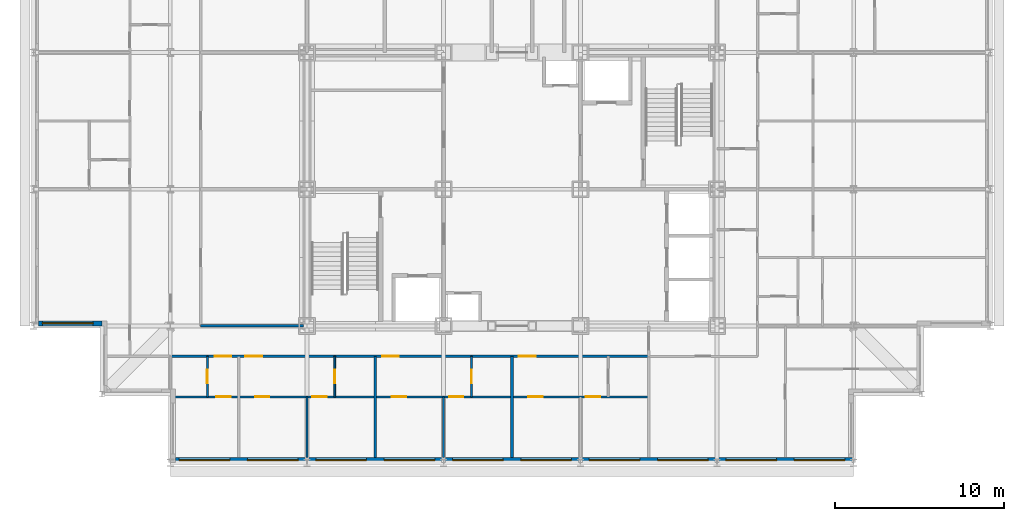
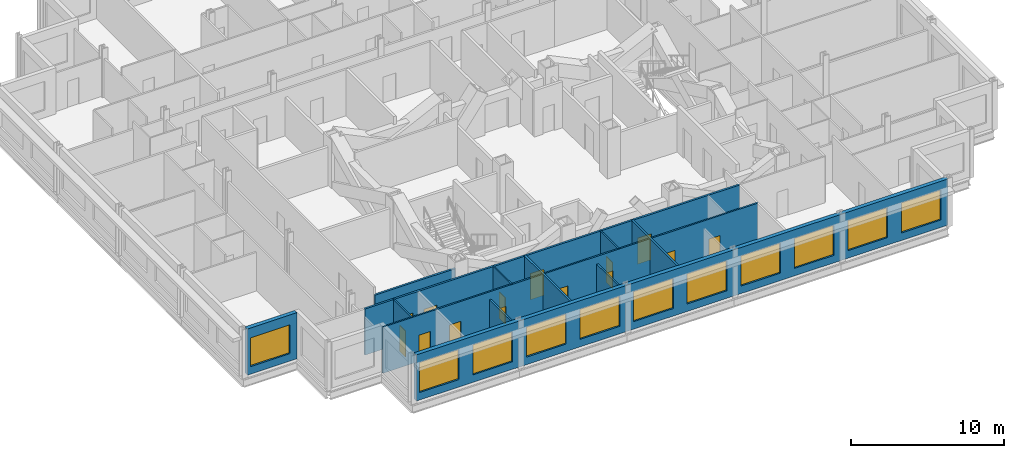
# One storey, part 7 of 16: 14 doors, 12 walls, 11 windows, 25 openings.
"""IFC4 building model written with IfcOpenShell, lengths in metres."""

from ifc_helpers import new_model, si_unit, direction, frame, frame_2d, origin, place, context, subcontext, project, spatial, rectangle, extrude, material, layer, layer_set, type_object, element, fill, save


model = new_model("IFC4")

# Units and contexts
model_context = context("Model", 3, precision=1e-05, world=origin(), true_north=direction((0.0, 1.0)))
body_context = subcontext(model_context, "Body", "Model", "MODEL_VIEW")
ifc_project = project(units=[si_unit("LENGTHUNIT", "METRE"), si_unit("AREAUNIT", "SQUARE_METRE"), si_unit("VOLUMEUNIT", "CUBIC_METRE"), si_unit("PLANEANGLEUNIT", "RADIAN"), si_unit("MASSUNIT", "GRAM", prefix="KILO")], contexts=[model_context])

# Site, building, storey
site_placement = place(None, origin())
site = spatial("IfcSite", under=ifc_project, at=site_placement, CompositionType="ELEMENT")
building_placement = place(site_placement, origin())
building = spatial("IfcBuilding", under=site, at=building_placement, Name="Kopane Lantern Tower", CompositionType="ELEMENT")
storey_placement = place(building_placement, frame((0.0, 0.0, 258.0)))
storey = spatial("IfcBuildingStorey", under=building, at=storey_placement, Name="L66", CompositionType="ELEMENT", Elevation=258.0)

# Walls
ifc_material_1 = material(Name="Gypsum board on steel studs", Category="steel")
ifc_layer_1 = layer(ifc_material_1, 0.1201171875)
ifc_layer_set_1 = layer_set([ifc_layer_1], Name="APARTMENT INTERNAL WALL 120")
wall_type_1 = type_object("IfcWallType", Name="APARTMENT INTERNAL WALL 120", PredefinedType="PARTITIONING", material=ifc_layer_set_1)
for number, where, z_axis, x_axis, name in (
    (1, (16.199951171875, 20.10009765625, 0.0), (0.0, 0.0, 1.0), (0.0, -1.0, 0.0), "Apartment Internal Wall 120 L66"),
    (2, (24.300048828125, 20.10009765625, 0.0), (0.0, 0.0, 1.0), (0.0, -1.0, 0.0), "Apartment Internal Wall 120 L66"),
):
    element("IfcWall", number, at=place(storey_placement, frame(where, z_axis=z_axis, x_axis=x_axis)), inside=storey, type_object=wall_type_1, Name=name, PredefinedType="PARTITIONING", context=body_context, shape_type="SweptSolid", body=[
        extrude(rectangle(XDim=3.60009765625, YDim=0.1201171875, at=frame_2d((1.800048828125, 0.0))), origin(), (0.0, 0.0, 1.0), 3.077880859375),
    ])

# Wall, openings, doors
wall_1_placement = place(storey_placement, frame((8.10009765625, 20.10009765625, 0.0), z_axis=(0.0, 0.0, 1.0), x_axis=(1.0, 0.0, 0.0)))
wall_1 = element("IfcWall", 3, at=wall_1_placement, inside=storey, type_object=wall_type_1, Name="Apartment Internal Wall 120 L66", PredefinedType="PARTITIONING", context=body_context, shape_type="SweptSolid", body=[
    extrude(rectangle(XDim=28.349853515625, YDim=0.1201171875, at=frame_2d((14.1748046875, 0.0))), origin(), (0.0, 0.0, 1.0), 3.68994140625),
])
opening_1_placement = place(wall_1_placement, frame((5.02490234375, 0.0, 0.0)))
opening_1 = element("IfcOpeningElement", 4, at=opening_1_placement, cuts=wall_1, Name="Opening L66-011", PredefinedType="OPENING", context=body_context, shape_type="SweptSolid", body=[
    extrude(rectangle(XDim=0.85009765625, YDim=2.10009765625, at=frame_2d((0.425048828125, 1.050048828125))), frame((0.0, 0.070068359375, 0.0), z_axis=(0.0, -1.0, 0.0), x_axis=(1.0, 0.0, 0.0)), (0.0, 0.0, 1.0), 0.14013671875),
])
opening_2_placement = place(wall_1_placement, frame((8.425048828125, 0.0, 0.0)))
opening_2 = element("IfcOpeningElement", 5, at=opening_2_placement, cuts=wall_1, Name="Opening L66-012", PredefinedType="OPENING", context=body_context, shape_type="SweptSolid", body=[
    extrude(rectangle(XDim=0.85009765625, YDim=2.10009765625, at=frame_2d((0.425048828125, 1.050048828125))), frame((0.0, 0.070068359375, 0.0), z_axis=(0.0, -1.0, 0.0), x_axis=(1.0, 0.0, 0.0)), (0.0, 0.0, 1.0), 0.14013671875),
])
opening_3_placement = place(wall_1_placement, frame((13.125, 0.0, 0.0)))
opening_3 = element("IfcOpeningElement", 6, at=opening_3_placement, cuts=wall_1, Name="Opening L66-015", PredefinedType="OPENING", context=body_context, shape_type="SweptSolid", body=[
    extrude(rectangle(XDim=0.85009765625, YDim=2.10009765625, at=frame_2d((0.425048828125, 1.050048828125))), frame((0.0, 0.070068359375, 0.0), z_axis=(0.0, -1.0, 0.0), x_axis=(1.0, 0.0, 0.0)), (0.0, 0.0, 1.0), 0.14013671875),
])
opening_4_placement = place(wall_1_placement, frame((16.52490234375, 0.0, 0.0)))
opening_4 = element("IfcOpeningElement", 7, at=opening_4_placement, cuts=wall_1, Name="Opening L66-016", PredefinedType="OPENING", context=body_context, shape_type="SweptSolid", body=[
    extrude(rectangle(XDim=0.85009765625, YDim=2.10009765625, at=frame_2d((0.425048828125, 1.050048828125))), frame((0.0, 0.070068359375, 0.0), z_axis=(0.0, -1.0, 0.0), x_axis=(1.0, 0.0, 0.0)), (0.0, 0.0, 1.0), 0.14013671875),
])
opening_5_placement = place(wall_1_placement, frame((21.22509765625, 0.0, 0.0)))
opening_5 = element("IfcOpeningElement", 8, at=opening_5_placement, cuts=wall_1, Name="Opening L66-019", PredefinedType="OPENING", context=body_context, shape_type="SweptSolid", body=[
    extrude(rectangle(XDim=0.85009765625, YDim=2.10009765625, at=frame_2d((0.425048828125, 1.050048828125))), frame((0.0, 0.070068359375, 0.0), z_axis=(0.0, -1.0, 0.0), x_axis=(1.0, 0.0, 0.0)), (0.0, 0.0, 1.0), 0.14013671875),
])
opening_6_placement = place(wall_1_placement, frame((24.625, 0.0, 0.0)))
opening_6 = element("IfcOpeningElement", 9, at=opening_6_placement, cuts=wall_1, Name="Opening L66-020", PredefinedType="OPENING", context=body_context, shape_type="SweptSolid", body=[
    extrude(rectangle(XDim=0.85009765625, YDim=2.10009765625, at=frame_2d((0.425048828125, 1.050048828125))), frame((0.0, 0.070068359375, 0.0), z_axis=(0.0, -1.0, 0.0), x_axis=(1.0, 0.0, 0.0)), (0.0, 0.0, 1.0), 0.14013671875),
])
opening_7_placement = place(wall_1_placement, frame((2.72509765625, 0.0, 0.0)))
opening_7 = element("IfcOpeningElement", 10, at=opening_7_placement, cuts=wall_1, Name="Opening L66-042", PredefinedType="OPENING", context=body_context, shape_type="SweptSolid", body=[
    extrude(rectangle(XDim=0.85009765625, YDim=2.10009765625, at=frame_2d((0.425048828125, 1.050048828125))), frame((0.0, 0.070068359375, 0.0), z_axis=(0.0, -1.0, 0.0), x_axis=(1.0, 0.0, 0.0)), (0.0, 0.0, 1.0), 0.14013671875),
])
ifc_material_2 = material(Name="Timber door set", Category="wood")
door_type_1 = type_object("IfcDoorType", Name="DOOR D4 850x2100", OperationType="SINGLE_SWING_LEFT", PredefinedType="DOOR", material=ifc_material_2)
door_1_placement = place(opening_1_placement, origin())
door_1 = element("IfcDoor", 11, at=door_1_placement, inside=storey, type_object=door_type_1, Name="Door L66-011", OperationType="SINGLE_SWING_LEFT", OverallHeight=2.10009765625, OverallWidth=0.85009765625, PredefinedType="DOOR", context=body_context, shape_type="SweptSolid", body=[
    extrude(rectangle(XDim=0.85009765625, YDim=2.10009765625, at=frame_2d((0.425048828125, 1.050048828125))), frame((0.0, 0.02490234375, 0.0), z_axis=(0.0, -1.0, 0.0), x_axis=(1.0, 0.0, 0.0)), (0.0, 0.0, 1.0), 0.050048828125),
])
fill(opening_1, door_1)
door_2_placement = place(opening_2_placement, origin())
door_2 = element("IfcDoor", 12, at=door_2_placement, inside=storey, type_object=door_type_1, Name="Door L66-012", OperationType="SINGLE_SWING_RIGHT", OverallHeight=2.10009765625, OverallWidth=0.85009765625, PredefinedType="DOOR", context=body_context, shape_type="SweptSolid", body=[
    extrude(rectangle(XDim=0.85009765625, YDim=2.10009765625, at=frame_2d((0.425048828125, 1.050048828125))), frame((0.0, 0.02490234375, 0.0), z_axis=(0.0, -1.0, 0.0), x_axis=(1.0, 0.0, 0.0)), (0.0, 0.0, 1.0), 0.050048828125),
])
fill(opening_2, door_2)
door_3_placement = place(opening_3_placement, origin())
door_3 = element("IfcDoor", 13, at=door_3_placement, inside=storey, type_object=door_type_1, Name="Door L66-015", OperationType="SINGLE_SWING_LEFT", OverallHeight=2.10009765625, OverallWidth=0.85009765625, PredefinedType="DOOR", context=body_context, shape_type="SweptSolid", body=[
    extrude(rectangle(XDim=0.85009765625, YDim=2.10009765625, at=frame_2d((0.425048828125, 1.050048828125))), frame((0.0, 0.02490234375, 0.0), z_axis=(0.0, -1.0, 0.0), x_axis=(1.0, 0.0, 0.0)), (0.0, 0.0, 1.0), 0.050048828125),
])
fill(opening_3, door_3)
door_4_placement = place(opening_4_placement, origin())
door_4 = element("IfcDoor", 14, at=door_4_placement, inside=storey, type_object=door_type_1, Name="Door L66-016", OperationType="SINGLE_SWING_RIGHT", OverallHeight=2.10009765625, OverallWidth=0.85009765625, PredefinedType="DOOR", context=body_context, shape_type="SweptSolid", body=[
    extrude(rectangle(XDim=0.85009765625, YDim=2.10009765625, at=frame_2d((0.425048828125, 1.050048828125))), frame((0.0, 0.02490234375, 0.0), z_axis=(0.0, -1.0, 0.0), x_axis=(1.0, 0.0, 0.0)), (0.0, 0.0, 1.0), 0.050048828125),
])
fill(opening_4, door_4)
door_5_placement = place(opening_5_placement, origin())
door_5 = element("IfcDoor", 15, at=door_5_placement, inside=storey, type_object=door_type_1, Name="Door L66-019", OperationType="SINGLE_SWING_LEFT", OverallHeight=2.10009765625, OverallWidth=0.85009765625, PredefinedType="DOOR", context=body_context, shape_type="SweptSolid", body=[
    extrude(rectangle(XDim=0.85009765625, YDim=2.10009765625, at=frame_2d((0.425048828125, 1.050048828125))), frame((0.0, 0.02490234375, 0.0), z_axis=(0.0, -1.0, 0.0), x_axis=(1.0, 0.0, 0.0)), (0.0, 0.0, 1.0), 0.050048828125),
])
fill(opening_5, door_5)
door_6_placement = place(opening_6_placement, origin())
door_6 = element("IfcDoor", 16, at=door_6_placement, inside=storey, type_object=door_type_1, Name="Door L66-020", OperationType="SINGLE_SWING_RIGHT", OverallHeight=2.10009765625, OverallWidth=0.85009765625, PredefinedType="DOOR", context=body_context, shape_type="SweptSolid", body=[
    extrude(rectangle(XDim=0.85009765625, YDim=2.10009765625, at=frame_2d((0.425048828125, 1.050048828125))), frame((0.0, 0.02490234375, 0.0), z_axis=(0.0, -1.0, 0.0), x_axis=(1.0, 0.0, 0.0)), (0.0, 0.0, 1.0), 0.050048828125),
])
fill(opening_6, door_6)
door_7_placement = place(opening_7_placement, origin())
door_7 = element("IfcDoor", 17, at=door_7_placement, inside=storey, type_object=door_type_1, Name="Door L66-042", OperationType="SINGLE_SWING_LEFT", OverallHeight=2.10009765625, OverallWidth=0.85009765625, PredefinedType="DOOR", context=body_context, shape_type="SweptSolid", body=[
    extrude(rectangle(XDim=0.85009765625, YDim=2.10009765625, at=frame_2d((0.425048828125, 1.050048828125))), frame((0.0, 0.02490234375, 0.0), z_axis=(0.0, -1.0, 0.0), x_axis=(1.0, 0.0, 0.0)), (0.0, 0.0, 1.0), 0.050048828125),
])
fill(opening_7, door_7)

# Wall, opening, door
ifc_material_3 = material(Name="Moisture-resistant board on steel studs", Category="steel")
ifc_layer_2 = layer(ifc_material_3, 0.10009765625)
ifc_layer_set_2 = layer_set([ifc_layer_2], Name="BATHROOM WALL 100")
wall_type_2 = type_object("IfcWallType", Name="BATHROOM WALL 100", PredefinedType="PARTITIONING", material=ifc_layer_set_2)
wall_2_placement = place(storey_placement, frame((17.85009765625, 22.5, 0.0), z_axis=(0.0, 0.0, 1.0), x_axis=(0.0, -1.0, 0.0)))
wall_2 = element("IfcWall", 18, at=wall_2_placement, inside=storey, type_object=wall_type_2, Name="Bathroom Wall 100 L66", PredefinedType="PARTITIONING", context=body_context, shape_type="SweptSolid", body=[
    extrude(rectangle(XDim=2.39990234375, YDim=0.10009765625, at=frame_2d((1.199951171875, 0.0))), origin(), (0.0, 0.0, 1.0), 3.68994140625),
])
opening_8_placement = place(wall_2_placement, frame((0.800048828125, 0.0, 0.0)))
opening_8 = element("IfcOpeningElement", 19, at=opening_8_placement, cuts=wall_2, Name="Opening L66-009", PredefinedType="OPENING", context=body_context, shape_type="SweptSolid", body=[
    extrude(rectangle(XDim=0.800048828125, YDim=2.10009765625, at=frame_2d((0.39990234375, 1.050048828125))), frame((0.0, 0.06005859375, 0.0), z_axis=(0.0, -1.0, 0.0), x_axis=(1.0, 0.0, 0.0)), (0.0, 0.0, 1.0), 0.1201171875),
])
ifc_material_4 = material(Name="Timber door set", Category="wood")
door_type_2 = type_object("IfcDoorType", Name="DOOR D2 800x2100", OperationType="SINGLE_SWING_LEFT", PredefinedType="DOOR", material=ifc_material_4)
door_8_placement = place(opening_8_placement, origin())
door_8 = element("IfcDoor", 20, at=door_8_placement, inside=storey, type_object=door_type_2, Name="Door L66-009", OperationType="SINGLE_SWING_LEFT", OverallHeight=2.10009765625, OverallWidth=0.800048828125, PredefinedType="DOOR", context=body_context, shape_type="SweptSolid", body=[
    extrude(rectangle(XDim=0.800048828125, YDim=2.10009765625, at=frame_2d((0.39990234375, 1.050048828125))), frame((0.0, 0.02490234375, 0.0), z_axis=(0.0, -1.0, 0.0), x_axis=(1.0, 0.0, 0.0)), (0.0, 0.0, 1.0), 0.050048828125),
])
fill(opening_8, door_8)

wall_3_placement = place(storey_placement, frame((25.949951171875, 22.5, 0.0), z_axis=(0.0, 0.0, 1.0), x_axis=(0.0, -1.0, 0.0)))
wall_3 = element("IfcWall", 21, at=wall_3_placement, inside=storey, type_object=wall_type_2, Name="Bathroom Wall 100 L66", PredefinedType="PARTITIONING", context=body_context, shape_type="SweptSolid", body=[
    extrude(rectangle(XDim=2.39990234375, YDim=0.10009765625, at=frame_2d((1.199951171875, 0.0))), origin(), (0.0, 0.0, 1.0), 3.68994140625),
])
opening_9_placement = place(wall_3_placement, frame((0.800048828125, 0.0, 0.0)))
opening_9 = element("IfcOpeningElement", 22, at=opening_9_placement, cuts=wall_3, Name="Opening L66-013", PredefinedType="OPENING", context=body_context, shape_type="SweptSolid", body=[
    extrude(rectangle(XDim=0.800048828125, YDim=2.10009765625, at=frame_2d((0.39990234375, 1.050048828125))), frame((0.0, 0.06005859375, 0.0), z_axis=(0.0, -1.0, 0.0), x_axis=(1.0, 0.0, 0.0)), (0.0, 0.0, 1.0), 0.1201171875),
])
door_9_placement = place(opening_9_placement, origin())
door_9 = element("IfcDoor", 23, at=door_9_placement, inside=storey, type_object=door_type_2, Name="Door L66-013", OperationType="SINGLE_SWING_LEFT", OverallHeight=2.10009765625, OverallWidth=0.800048828125, PredefinedType="DOOR", context=body_context, shape_type="SweptSolid", body=[
    extrude(rectangle(XDim=0.800048828125, YDim=2.10009765625, at=frame_2d((0.39990234375, 1.050048828125))), frame((0.0, 0.02490234375, 0.0), z_axis=(0.0, -1.0, 0.0), x_axis=(1.0, 0.0, 0.0)), (0.0, 0.0, 1.0), 0.050048828125),
])
fill(opening_9, door_9)

wall_4_placement = place(storey_placement, frame((10.300048828125, 22.5, 0.0), z_axis=(0.0, 0.0, 1.0), x_axis=(0.0, -1.0, 0.0)))
wall_4 = element("IfcWall", 24, at=wall_4_placement, inside=storey, type_object=wall_type_2, Name="Bathroom Wall 100 L66", PredefinedType="PARTITIONING", context=body_context, shape_type="SweptSolid", body=[
    extrude(rectangle(XDim=2.39990234375, YDim=0.10009765625, at=frame_2d((1.199951171875, 0.0))), origin(), (0.0, 0.0, 1.0), 3.68994140625),
])
opening_10_placement = place(wall_4_placement, frame((0.800048828125, 0.0, 0.0)))
opening_10 = element("IfcOpeningElement", 25, at=opening_10_placement, cuts=wall_4, Name="Opening L66-040", PredefinedType="OPENING", context=body_context, shape_type="SweptSolid", body=[
    extrude(rectangle(XDim=0.800048828125, YDim=2.10009765625, at=frame_2d((0.39990234375, 1.050048828125))), frame((0.0, 0.06005859375, 0.0), z_axis=(0.0, -1.0, 0.0), x_axis=(1.0, 0.0, 0.0)), (0.0, 0.0, 1.0), 0.1201171875),
])
door_10_placement = place(opening_10_placement, origin())
door_10 = element("IfcDoor", 26, at=door_10_placement, inside=storey, type_object=door_type_2, Name="Door L66-040", OperationType="SINGLE_SWING_RIGHT", OverallHeight=2.10009765625, OverallWidth=0.800048828125, PredefinedType="DOOR", context=body_context, shape_type="SweptSolid", body=[
    extrude(rectangle(XDim=0.800048828125, YDim=2.10009765625, at=frame_2d((0.39990234375, 1.050048828125))), frame((0.0, 0.02490234375, 0.0), z_axis=(0.0, -1.0, 0.0), x_axis=(1.0, 0.0, 0.0)), (0.0, 0.0, 1.0), 0.050048828125),
])
fill(opening_10, door_10)

# Wall, openings, doors
ifc_material_5 = material(Name="Gypsum board on steel studs", Category="steel")
ifc_layer_3 = layer(ifc_material_5, 0.14990234375)
ifc_layer_set_3 = layer_set([ifc_layer_3], Name="CORRIDOR WALL 150 EI 60")
wall_type_3 = type_object("IfcWallType", Name="CORRIDOR WALL 150 EI 60", PredefinedType="PARTITIONING", material=ifc_layer_set_3)
wall_5_placement = place(storey_placement, frame((8.10009765625, 22.5, 0.0), z_axis=(0.0, 0.0, 1.0), x_axis=(1.0, 0.0, 0.0)))
wall_5 = element("IfcWall", 27, at=wall_5_placement, inside=storey, type_object=wall_type_3, Name="Corridor Wall 150 Ei 60 L66", PredefinedType="PARTITIONING", context=body_context, shape_type="SweptSolid", body=[
    extrude(rectangle(XDim=28.349853515625, YDim=0.14990234375, at=frame_2d((14.1748046875, 0.0))), origin(), (0.0, 0.0, 1.0), 3.68994140625),
])
opening_11_placement = place(wall_5_placement, frame((4.449951171875, 0.0, 0.0)))
opening_11 = element("IfcOpeningElement", 28, at=opening_11_placement, cuts=wall_5, Name="Opening L66-010", PredefinedType="OPENING", context=body_context, shape_type="SweptSolid", body=[
    extrude(rectangle(XDim=1.0, YDim=2.10009765625, at=frame_2d((0.5, 1.050048828125))), frame((0.0, 0.0849609375, 0.0), z_axis=(0.0, -1.0, 0.0), x_axis=(1.0, 0.0, 0.0)), (0.0, 0.0, 1.0), 0.169921875),
])
opening_12_placement = place(wall_5_placement, frame((12.550048828125, 0.0, 0.0)))
opening_12 = element("IfcOpeningElement", 29, at=opening_12_placement, cuts=wall_5, Name="Opening L66-014", PredefinedType="OPENING", context=body_context, shape_type="SweptSolid", body=[
    extrude(rectangle(XDim=1.0, YDim=2.10009765625, at=frame_2d((0.5, 1.050048828125))), frame((0.0, 0.0849609375, 0.0), z_axis=(0.0, -1.0, 0.0), x_axis=(1.0, 0.0, 0.0)), (0.0, 0.0, 1.0), 0.169921875),
])
opening_13_placement = place(wall_5_placement, frame((20.64990234375, 0.0, 0.0)))
opening_13 = element("IfcOpeningElement", 30, at=opening_13_placement, cuts=wall_5, Name="Opening L66-018", PredefinedType="OPENING", context=body_context, shape_type="SweptSolid", body=[
    extrude(rectangle(XDim=1.0, YDim=2.10009765625, at=frame_2d((0.5, 1.050048828125))), frame((0.0, 0.0849609375, 0.0), z_axis=(0.0, -1.0, 0.0), x_axis=(1.0, 0.0, 0.0)), (0.0, 0.0, 1.0), 0.169921875),
])
opening_14_placement = place(wall_5_placement, frame((2.625, 0.0, 0.0)))
opening_14 = element("IfcOpeningElement", 31, at=opening_14_placement, cuts=wall_5, Name="Opening L66-041", PredefinedType="OPENING", context=body_context, shape_type="SweptSolid", body=[
    extrude(rectangle(XDim=1.0, YDim=2.10009765625, at=frame_2d((0.5, 1.050048828125))), frame((0.0, 0.0849609375, 0.0), z_axis=(0.0, -1.0, 0.0), x_axis=(1.0, 0.0, 0.0)), (0.0, 0.0, 1.0), 0.169921875),
])
ifc_material_6 = material(Name="Steel door set", Category="steel")
door_type_3 = type_object("IfcDoorType", Name="DOOR D3 1000x2100 FD30S", OperationType="SINGLE_SWING_LEFT", PredefinedType="DOOR", material=ifc_material_6)
door_11_placement = place(opening_11_placement, origin())
door_11 = element("IfcDoor", 32, at=door_11_placement, inside=storey, type_object=door_type_3, Name="Door L66-010", OperationType="SINGLE_SWING_RIGHT", OverallHeight=2.10009765625, OverallWidth=1.0, PredefinedType="DOOR", context=body_context, shape_type="SweptSolid", body=[
    extrude(rectangle(XDim=1.0, YDim=2.10009765625, at=frame_2d((0.5, 1.050048828125))), frame((0.0, 0.02490234375, 0.0), z_axis=(0.0, -1.0, 0.0), x_axis=(1.0, 0.0, 0.0)), (0.0, 0.0, 1.0), 0.050048828125),
])
fill(opening_11, door_11)
door_12_placement = place(opening_12_placement, origin())
door_12 = element("IfcDoor", 33, at=door_12_placement, inside=storey, type_object=door_type_3, Name="Door L66-014", OperationType="SINGLE_SWING_RIGHT", OverallHeight=2.10009765625, OverallWidth=1.0, PredefinedType="DOOR", context=body_context, shape_type="SweptSolid", body=[
    extrude(rectangle(XDim=1.0, YDim=2.10009765625, at=frame_2d((0.5, 1.050048828125))), frame((0.0, 0.02490234375, 0.0), z_axis=(0.0, -1.0, 0.0), x_axis=(1.0, 0.0, 0.0)), (0.0, 0.0, 1.0), 0.050048828125),
])
fill(opening_12, door_12)
door_13_placement = place(opening_13_placement, origin())
door_13 = element("IfcDoor", 34, at=door_13_placement, inside=storey, type_object=door_type_3, Name="Door L66-018", OperationType="SINGLE_SWING_RIGHT", OverallHeight=2.10009765625, OverallWidth=1.0, PredefinedType="DOOR", context=body_context, shape_type="SweptSolid", body=[
    extrude(rectangle(XDim=1.0, YDim=2.10009765625, at=frame_2d((0.5, 1.050048828125))), frame((0.0, 0.02490234375, 0.0), z_axis=(0.0, -1.0, 0.0), x_axis=(1.0, 0.0, 0.0)), (0.0, 0.0, 1.0), 0.050048828125),
])
fill(opening_13, door_13)
door_14_placement = place(opening_14_placement, origin())
door_14 = element("IfcDoor", 35, at=door_14_placement, inside=storey, type_object=door_type_3, Name="Door L66-041", OperationType="SINGLE_SWING_RIGHT", OverallHeight=2.10009765625, OverallWidth=1.0, PredefinedType="DOOR", context=body_context, shape_type="SweptSolid", body=[
    extrude(rectangle(XDim=1.0, YDim=2.10009765625, at=frame_2d((0.5, 1.050048828125))), frame((0.0, 0.02490234375, 0.0), z_axis=(0.0, -1.0, 0.0), x_axis=(1.0, 0.0, 0.0)), (0.0, 0.0, 1.0), 0.050048828125),
])
fill(opening_14, door_14)

# Walls
wall_6_placement = place(storey_placement, frame((16.0, 24.300048828125, 0.0), z_axis=(0.0, 0.0, 1.0), x_axis=(-1.0, 0.0, 0.0)))
element("IfcWall", 36, at=wall_6_placement, inside=storey, type_object=wall_type_3, Name="Corridor Wall 150 Ei 60 L66", PredefinedType="PARTITIONING", context=body_context, shape_type="SweptSolid", body=[
    extrude(rectangle(XDim=6.10009765625, YDim=0.14990234375, at=frame_2d((3.050048828125, 0.0))), origin(), (0.0, 0.0, 1.0), 3.077880859375),
])
ifc_material_7 = material(Name="Gypsum board on steel studs", Category="steel")
ifc_layer_4 = layer(ifc_material_7, 0.14990234375)
ifc_layer_set_4 = layer_set([ifc_layer_4], Name="DEMISING WALL 150 EI 60")
wall_type_4 = type_object("IfcWallType", Name="DEMISING WALL 150 EI 60", PredefinedType="PARTITIONING", material=ifc_layer_set_4)
for number, where, z_axis, x_axis, name in (
    (37, (20.25, 22.5, 0.0), (0.0, 0.0, 1.0), (0.0, -1.0, 0.0), "Demising Wall 150 Ei 60 L66"),
    (38, (28.35009765625, 22.5, 0.0), (0.0, 0.0, 1.0), (0.0, -1.0, 0.0), "Demising Wall 150 Ei 60 L66"),
):
    element("IfcWall", number, at=place(storey_placement, frame(where, z_axis=z_axis, x_axis=x_axis)), inside=storey, type_object=wall_type_4, Name=name, PredefinedType="PARTITIONING", context=body_context, shape_type="SweptSolid", body=[
        extrude(rectangle(XDim=6.0, YDim=0.14990234375, at=frame_2d((3.0, 0.0))), origin(), (0.0, 0.0, 1.0), 3.68994140625),
    ])

# Wall, openings, windows
ifc_material_8 = material(Name="Terracotta rainscreen on light steel framing", Category="masonry")
ifc_layer_5 = layer(ifc_material_8, 0.300048828125)
ifc_layer_set_5 = layer_set([ifc_layer_5], Name="EXTERNAL WALL EW1 300 TERRACOTTA")
wall_type_5 = type_object("IfcWallType", Name="EXTERNAL WALL EW1 300 TERRACOTTA", PredefinedType="SOLIDWALL", material=ifc_layer_set_5)
wall_7_placement = place(storey_placement, frame((8.39990234375, 16.35009765625, 0.0), z_axis=(0.0, 0.0, 1.0), x_axis=(1.0, 0.0, 0.0)))
wall_7 = element("IfcWall", 39, at=wall_7_placement, inside=storey, type_object=wall_type_5, Name="External wall S L66", PredefinedType="SOLIDWALL", context=body_context, shape_type="SweptSolid", body=[
    extrude(rectangle(XDim=40.2001953125, YDim=0.300048828125, at=frame_2d((20.10009765625, 0.0))), origin(), (0.0, 0.0, 1.0), 3.68994140625),
])
opening_15_placement = place(wall_7_placement, frame((0.22509765625, 0.0, 0.60009765625)))
opening_15 = element("IfcOpeningElement", 40, at=opening_15_placement, cuts=wall_7, Name="Opening WR300240", PredefinedType="OPENING", context=body_context, shape_type="SweptSolid", body=[
    extrude(rectangle(XDim=3.0, YDim=2.39990234375, at=frame_2d((1.5, 1.199951171875))), frame((0.0, 0.159912109375, 0.0), z_axis=(0.0, -1.0, 0.0), x_axis=(1.0, 0.0, 0.0)), (0.0, 0.0, 1.0), 0.320068359375),
])
opening_16_placement = place(wall_7_placement, frame((4.27490234375, 0.0, 0.60009765625)))
opening_16 = element("IfcOpeningElement", 41, at=opening_16_placement, cuts=wall_7, Name="Opening WR300240", PredefinedType="OPENING", context=body_context, shape_type="SweptSolid", body=[
    extrude(rectangle(XDim=3.0, YDim=2.39990234375, at=frame_2d((1.5, 1.199951171875))), frame((0.0, 0.159912109375, 0.0), z_axis=(0.0, -1.0, 0.0), x_axis=(1.0, 0.0, 0.0)), (0.0, 0.0, 1.0), 0.320068359375),
])
opening_17_placement = place(wall_7_placement, frame((8.324951171875, 0.0, 0.60009765625)))
opening_17 = element("IfcOpeningElement", 42, at=opening_17_placement, cuts=wall_7, Name="Opening WR300240", PredefinedType="OPENING", context=body_context, shape_type="SweptSolid", body=[
    extrude(rectangle(XDim=3.0, YDim=2.39990234375, at=frame_2d((1.5, 1.199951171875))), frame((0.0, 0.159912109375, 0.0), z_axis=(0.0, -1.0, 0.0), x_axis=(1.0, 0.0, 0.0)), (0.0, 0.0, 1.0), 0.320068359375),
])
opening_18_placement = place(wall_7_placement, frame((12.375, 0.0, 0.60009765625)))
opening_18 = element("IfcOpeningElement", 43, at=opening_18_placement, cuts=wall_7, Name="Opening WR300240", PredefinedType="OPENING", context=body_context, shape_type="SweptSolid", body=[
    extrude(rectangle(XDim=3.0, YDim=2.39990234375, at=frame_2d((1.5, 1.199951171875))), frame((0.0, 0.159912109375, 0.0), z_axis=(0.0, -1.0, 0.0), x_axis=(1.0, 0.0, 0.0)), (0.0, 0.0, 1.0), 0.320068359375),
])
opening_19_placement = place(wall_7_placement, frame((16.425048828125, 0.0, 0.60009765625)))
opening_19 = element("IfcOpeningElement", 44, at=opening_19_placement, cuts=wall_7, Name="Opening WR300240", PredefinedType="OPENING", context=body_context, shape_type="SweptSolid", body=[
    extrude(rectangle(XDim=3.0, YDim=2.39990234375, at=frame_2d((1.5, 1.199951171875))), frame((0.0, 0.159912109375, 0.0), z_axis=(0.0, -1.0, 0.0), x_axis=(1.0, 0.0, 0.0)), (0.0, 0.0, 1.0), 0.320068359375),
])
opening_20_placement = place(wall_7_placement, frame((20.47509765625, 0.0, 0.60009765625)))
opening_20 = element("IfcOpeningElement", 45, at=opening_20_placement, cuts=wall_7, Name="Opening WR300240", PredefinedType="OPENING", context=body_context, shape_type="SweptSolid", body=[
    extrude(rectangle(XDim=3.0, YDim=2.39990234375, at=frame_2d((1.5, 1.199951171875))), frame((0.0, 0.159912109375, 0.0), z_axis=(0.0, -1.0, 0.0), x_axis=(1.0, 0.0, 0.0)), (0.0, 0.0, 1.0), 0.320068359375),
])
opening_21_placement = place(wall_7_placement, frame((24.52490234375, 0.0, 0.60009765625)))
opening_21 = element("IfcOpeningElement", 46, at=opening_21_placement, cuts=wall_7, Name="Opening WR300240", PredefinedType="OPENING", context=body_context, shape_type="SweptSolid", body=[
    extrude(rectangle(XDim=3.0, YDim=2.39990234375, at=frame_2d((1.5, 1.199951171875))), frame((0.0, 0.159912109375, 0.0), z_axis=(0.0, -1.0, 0.0), x_axis=(1.0, 0.0, 0.0)), (0.0, 0.0, 1.0), 0.320068359375),
])
opening_22_placement = place(wall_7_placement, frame((28.574951171875, 0.0, 0.60009765625)))
opening_22 = element("IfcOpeningElement", 47, at=opening_22_placement, cuts=wall_7, Name="Opening WR300240", PredefinedType="OPENING", context=body_context, shape_type="SweptSolid", body=[
    extrude(rectangle(XDim=3.0, YDim=2.39990234375, at=frame_2d((1.5, 1.199951171875))), frame((0.0, 0.159912109375, 0.0), z_axis=(0.0, -1.0, 0.0), x_axis=(1.0, 0.0, 0.0)), (0.0, 0.0, 1.0), 0.320068359375),
])
opening_23_placement = place(wall_7_placement, frame((32.625, 0.0, 0.60009765625)))
opening_23 = element("IfcOpeningElement", 48, at=opening_23_placement, cuts=wall_7, Name="Opening WR300240", PredefinedType="OPENING", context=body_context, shape_type="SweptSolid", body=[
    extrude(rectangle(XDim=3.0, YDim=2.39990234375, at=frame_2d((1.5, 1.199951171875))), frame((0.0, 0.159912109375, 0.0), z_axis=(0.0, -1.0, 0.0), x_axis=(1.0, 0.0, 0.0)), (0.0, 0.0, 1.0), 0.320068359375),
])
opening_24_placement = place(wall_7_placement, frame((36.675048828125, 0.0, 0.60009765625)))
opening_24 = element("IfcOpeningElement", 49, at=opening_24_placement, cuts=wall_7, Name="Opening WR300240", PredefinedType="OPENING", context=body_context, shape_type="SweptSolid", body=[
    extrude(rectangle(XDim=3.0, YDim=2.39990234375, at=frame_2d((1.5, 1.199951171875))), frame((0.0, 0.159912109375, 0.0), z_axis=(0.0, -1.0, 0.0), x_axis=(1.0, 0.0, 0.0)), (0.0, 0.0, 1.0), 0.320068359375),
])
ifc_material_9 = material(Name="Aluminium and clear glass", Category="aluminium")
window_type_1 = type_object("IfcWindowType", Name="RIBBON WINDOW WR300240 3000x2400", PartitioningType="SINGLE_PANEL", PredefinedType="WINDOW", material=ifc_material_9)
window_1_placement = place(opening_15_placement, origin())
window_1 = element("IfcWindow", 50, at=window_1_placement, inside=storey, type_object=window_type_1, Name="Window S L66", OverallHeight=2.39990234375, OverallWidth=3.0, PartitioningType="SINGLE_PANEL", PredefinedType="WINDOW", context=body_context, shape_type="SweptSolid", body=[
    extrude(rectangle(XDim=3.0, YDim=2.39990234375, at=frame_2d((1.5, 1.199951171875))), frame((0.0, 0.030029296875, 0.0), z_axis=(0.0, -1.0, 0.0), x_axis=(1.0, 0.0, 0.0)), (0.0, 0.0, 1.0), 0.06005859375),
])
fill(opening_15, window_1)
window_2_placement = place(opening_16_placement, origin())
window_2 = element("IfcWindow", 51, at=window_2_placement, inside=storey, type_object=window_type_1, Name="Window S L66", OverallHeight=2.39990234375, OverallWidth=3.0, PartitioningType="SINGLE_PANEL", PredefinedType="WINDOW", context=body_context, shape_type="SweptSolid", body=[
    extrude(rectangle(XDim=3.0, YDim=2.39990234375, at=frame_2d((1.5, 1.199951171875))), frame((0.0, 0.030029296875, 0.0), z_axis=(0.0, -1.0, 0.0), x_axis=(1.0, 0.0, 0.0)), (0.0, 0.0, 1.0), 0.06005859375),
])
fill(opening_16, window_2)
window_3_placement = place(opening_17_placement, origin())
window_3 = element("IfcWindow", 52, at=window_3_placement, inside=storey, type_object=window_type_1, Name="Window S L66", OverallHeight=2.39990234375, OverallWidth=3.0, PartitioningType="SINGLE_PANEL", PredefinedType="WINDOW", context=body_context, shape_type="SweptSolid", body=[
    extrude(rectangle(XDim=3.0, YDim=2.39990234375, at=frame_2d((1.5, 1.199951171875))), frame((0.0, 0.030029296875, 0.0), z_axis=(0.0, -1.0, 0.0), x_axis=(1.0, 0.0, 0.0)), (0.0, 0.0, 1.0), 0.06005859375),
])
fill(opening_17, window_3)
window_4_placement = place(opening_18_placement, origin())
window_4 = element("IfcWindow", 53, at=window_4_placement, inside=storey, type_object=window_type_1, Name="Window S L66", OverallHeight=2.39990234375, OverallWidth=3.0, PartitioningType="SINGLE_PANEL", PredefinedType="WINDOW", context=body_context, shape_type="SweptSolid", body=[
    extrude(rectangle(XDim=3.0, YDim=2.39990234375, at=frame_2d((1.5, 1.199951171875))), frame((0.0, 0.030029296875, 0.0), z_axis=(0.0, -1.0, 0.0), x_axis=(1.0, 0.0, 0.0)), (0.0, 0.0, 1.0), 0.06005859375),
])
fill(opening_18, window_4)
window_5_placement = place(opening_19_placement, origin())
window_5 = element("IfcWindow", 54, at=window_5_placement, inside=storey, type_object=window_type_1, Name="Window S L66", OverallHeight=2.39990234375, OverallWidth=3.0, PartitioningType="SINGLE_PANEL", PredefinedType="WINDOW", context=body_context, shape_type="SweptSolid", body=[
    extrude(rectangle(XDim=3.0, YDim=2.39990234375, at=frame_2d((1.5, 1.199951171875))), frame((0.0, 0.030029296875, 0.0), z_axis=(0.0, -1.0, 0.0), x_axis=(1.0, 0.0, 0.0)), (0.0, 0.0, 1.0), 0.06005859375),
])
fill(opening_19, window_5)
window_6_placement = place(opening_20_placement, origin())
window_6 = element("IfcWindow", 55, at=window_6_placement, inside=storey, type_object=window_type_1, Name="Window S L66", OverallHeight=2.39990234375, OverallWidth=3.0, PartitioningType="SINGLE_PANEL", PredefinedType="WINDOW", context=body_context, shape_type="SweptSolid", body=[
    extrude(rectangle(XDim=3.0, YDim=2.39990234375, at=frame_2d((1.5, 1.199951171875))), frame((0.0, 0.030029296875, 0.0), z_axis=(0.0, -1.0, 0.0), x_axis=(1.0, 0.0, 0.0)), (0.0, 0.0, 1.0), 0.06005859375),
])
fill(opening_20, window_6)
window_7_placement = place(opening_21_placement, origin())
window_7 = element("IfcWindow", 56, at=window_7_placement, inside=storey, type_object=window_type_1, Name="Window S L66", OverallHeight=2.39990234375, OverallWidth=3.0, PartitioningType="SINGLE_PANEL", PredefinedType="WINDOW", context=body_context, shape_type="SweptSolid", body=[
    extrude(rectangle(XDim=3.0, YDim=2.39990234375, at=frame_2d((1.5, 1.199951171875))), frame((0.0, 0.030029296875, 0.0), z_axis=(0.0, -1.0, 0.0), x_axis=(1.0, 0.0, 0.0)), (0.0, 0.0, 1.0), 0.06005859375),
])
fill(opening_21, window_7)
window_8_placement = place(opening_22_placement, origin())
window_8 = element("IfcWindow", 57, at=window_8_placement, inside=storey, type_object=window_type_1, Name="Window S L66", OverallHeight=2.39990234375, OverallWidth=3.0, PartitioningType="SINGLE_PANEL", PredefinedType="WINDOW", context=body_context, shape_type="SweptSolid", body=[
    extrude(rectangle(XDim=3.0, YDim=2.39990234375, at=frame_2d((1.5, 1.199951171875))), frame((0.0, 0.030029296875, 0.0), z_axis=(0.0, -1.0, 0.0), x_axis=(1.0, 0.0, 0.0)), (0.0, 0.0, 1.0), 0.06005859375),
])
fill(opening_22, window_8)
window_9_placement = place(opening_23_placement, origin())
window_9 = element("IfcWindow", 58, at=window_9_placement, inside=storey, type_object=window_type_1, Name="Window S L66", OverallHeight=2.39990234375, OverallWidth=3.0, PartitioningType="SINGLE_PANEL", PredefinedType="WINDOW", context=body_context, shape_type="SweptSolid", body=[
    extrude(rectangle(XDim=3.0, YDim=2.39990234375, at=frame_2d((1.5, 1.199951171875))), frame((0.0, 0.030029296875, 0.0), z_axis=(0.0, -1.0, 0.0), x_axis=(1.0, 0.0, 0.0)), (0.0, 0.0, 1.0), 0.06005859375),
])
fill(opening_23, window_9)
window_10_placement = place(opening_24_placement, origin())
window_10 = element("IfcWindow", 59, at=window_10_placement, inside=storey, type_object=window_type_1, Name="Window S L66", OverallHeight=2.39990234375, OverallWidth=3.0, PartitioningType="SINGLE_PANEL", PredefinedType="WINDOW", context=body_context, shape_type="SweptSolid", body=[
    extrude(rectangle(XDim=3.0, YDim=2.39990234375, at=frame_2d((1.5, 1.199951171875))), frame((0.0, 0.030029296875, 0.0), z_axis=(0.0, -1.0, 0.0), x_axis=(1.0, 0.0, 0.0)), (0.0, 0.0, 1.0), 0.06005859375),
])
fill(opening_24, window_10)

# Wall, opening, window
wall_8_placement = place(storey_placement, frame((0.300048828125, 24.449951171875, 0.0), z_axis=(0.0, 0.0, 1.0), x_axis=(1.0, 0.0, 0.0)))
wall_8 = element("IfcWall", 60, at=wall_8_placement, inside=storey, type_object=wall_type_5, Name="External wall S L66", PredefinedType="SOLIDWALL", context=body_context, shape_type="SweptSolid", body=[
    extrude(rectangle(XDim=3.75, YDim=0.300048828125, at=frame_2d((1.875, 0.0))), origin(), (0.0, 0.0, 1.0), 3.68994140625),
])
opening_25_placement = place(wall_8_placement, frame((0.22509765625, 0.0, 0.60009765625)))
opening_25 = element("IfcOpeningElement", 61, at=opening_25_placement, cuts=wall_8, Name="Opening WR300230", PredefinedType="OPENING", context=body_context, shape_type="SweptSolid", body=[
    extrude(rectangle(XDim=3.0, YDim=2.300048828125, at=frame_2d((1.5, 1.14990234375))), frame((0.0, 0.159912109375, 0.0), z_axis=(0.0, -1.0, 0.0), x_axis=(1.0, 0.0, 0.0)), (0.0, 0.0, 1.0), 0.320068359375),
])
ifc_material_10 = material(Name="Aluminium and clear glass", Category="aluminium")
window_type_2 = type_object("IfcWindowType", Name="RIBBON WINDOW WR300230 3000x2300", PartitioningType="SINGLE_PANEL", PredefinedType="WINDOW", material=ifc_material_10)
window_11_placement = place(opening_25_placement, origin())
window_11 = element("IfcWindow", 62, at=window_11_placement, inside=storey, type_object=window_type_2, Name="Window S L66", OverallHeight=2.300048828125, OverallWidth=3.0, PartitioningType="SINGLE_PANEL", PredefinedType="WINDOW", context=body_context, shape_type="SweptSolid", body=[
    extrude(rectangle(XDim=3.0, YDim=2.300048828125, at=frame_2d((1.5, 1.14990234375))), frame((0.0, 0.030029296875, 0.0), z_axis=(0.0, -1.0, 0.0), x_axis=(1.0, 0.0, 0.0)), (0.0, 0.0, 1.0), 0.06005859375),
])
fill(opening_25, window_11)

save(model, "model.ifc")
